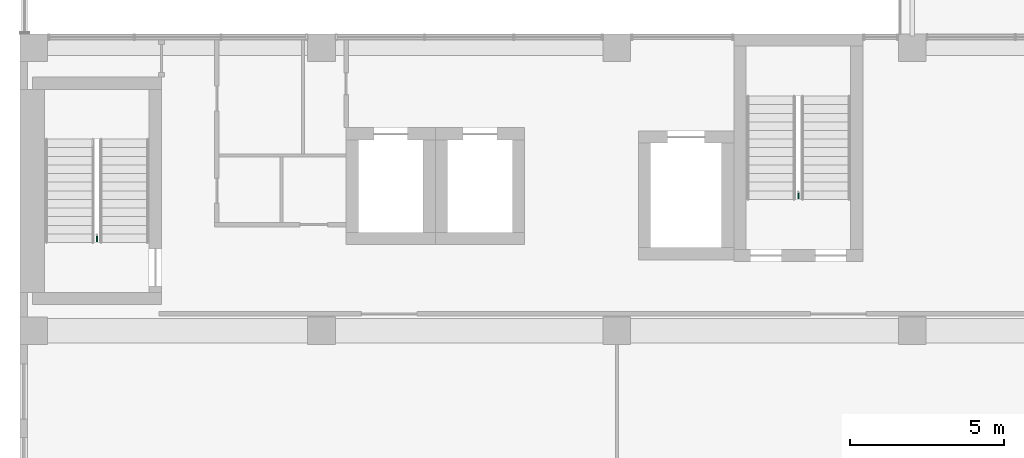
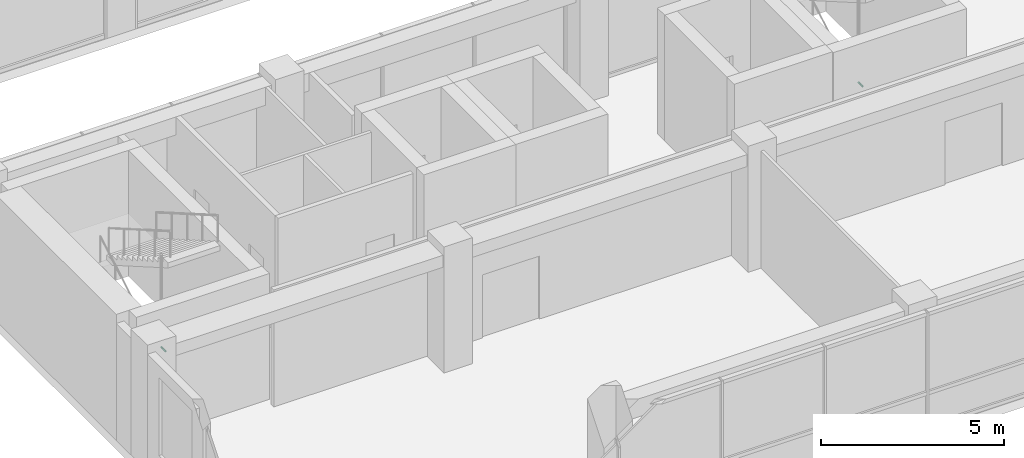
# One storey, part 37 of 38: 2 pipe fittings.
"""IFC4 building model written with IfcOpenShell, lengths in metres."""

from ifc_helpers import new_model, si_unit, direction, frame, origin, origin_2d, place, context, subcontext, project, spatial, circle, extrude, element, save


model = new_model("IFC4")

# Units and contexts
model_context = context("Model", 3, precision=1e-05, world=origin(), true_north=direction((0.0, 1.0)))
body_context = subcontext(model_context, "Body", "Model", "MODEL_VIEW")
ifc_project = project(units=[si_unit("LENGTHUNIT", "METRE"), si_unit("AREAUNIT", "SQUARE_METRE"), si_unit("VOLUMEUNIT", "CUBIC_METRE"), si_unit("PLANEANGLEUNIT", "RADIAN"), si_unit("MASSUNIT", "GRAM", prefix="KILO")], contexts=[model_context])

# Site, building, storey
site_placement = place(None, origin())
site = spatial("IfcSite", under=ifc_project, at=site_placement, CompositionType="ELEMENT")
building_placement = place(site_placement, origin())
building = spatial("IfcBuilding", under=site, at=building_placement, Name="Nzadi Deep Aquarium and Research Tower", CompositionType="ELEMENT")
storey_placement = place(building_placement, frame((0.0, 0.0, 65.5)))
storey = spatial("IfcBuildingStorey", under=building, at=storey_placement, Name="L13", CompositionType="ELEMENT", Elevation=65.5)

# Pipe fittings
for number, where, z_axis, x_axis, name in (
    (1, (2.300048828125, 12.320068359375, 1.10009765625), (0.0, -1.0, 0.0), (1.0, 0.0, 0.0), "Dry riser outlet ST-Z1-SW L13"),
    (2, (25.10009765625, 13.719970703125, 1.10009765625), (0.0, -1.0, 0.0), (1.0, 0.0, 0.0), "Dry riser outlet ST-Z1-SE L13"),
):
    element("IfcPipeFitting", number, at=place(storey_placement, frame(where, z_axis=z_axis, x_axis=x_axis)), inside=storey, Name=name, PredefinedType="EXIT", context=body_context, shape_type="SweptSolid", body=[
        extrude(circle(Radius=0.0224609375, at=origin_2d()), origin(), (0.0, 0.0, 1.0), 0.22998046875),
    ])

save(model, "model.ifc")
